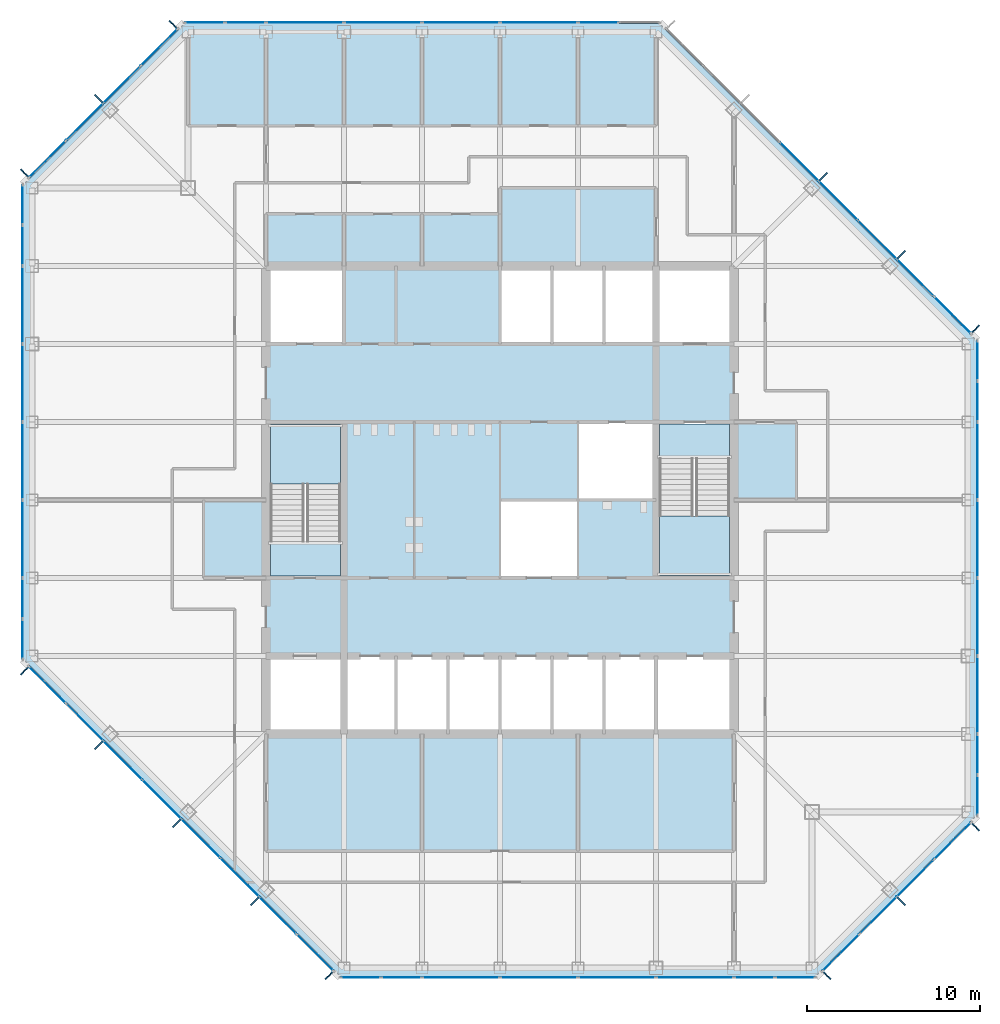
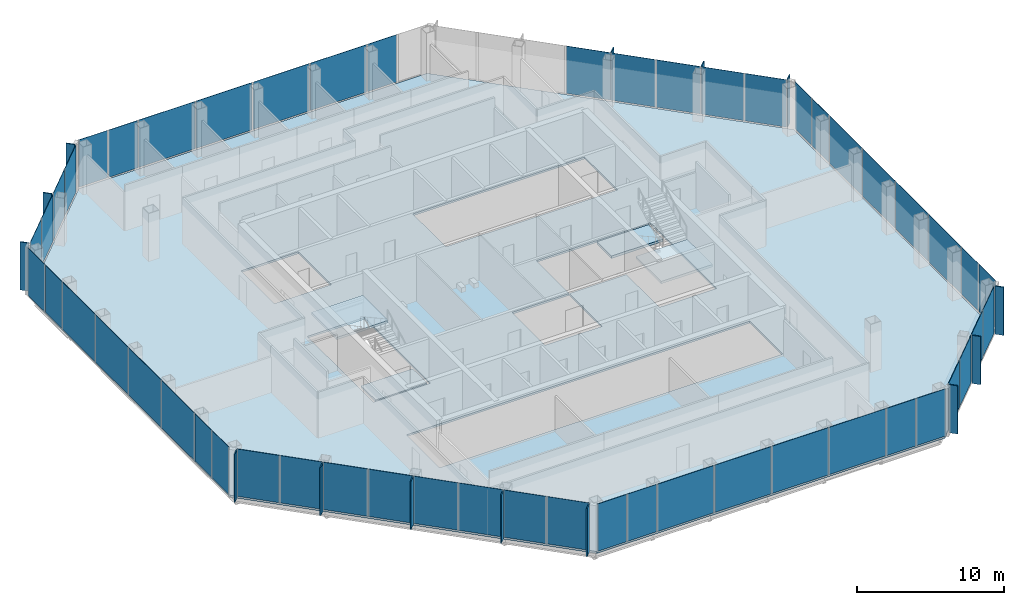
# One storey, part 7 of 13: 66 plates, 5 slabs, 10 elements without a shape of their own.
"""IFC4 building model written with IfcOpenShell, lengths in metres."""

import ifcopenshell
import ifcopenshell.guid

model = None  # the IFC model being written
_history = None  # IfcOwnerHistory: only IFC2X3 demands one
_inside = {}  # id of a spatial element -> (the spatial element, [elements in it])
_under = {}  # id of a project, library or spatial element -> (it, [spatial elements below it])
_declared = {}  # id of a project -> (the project, [libraries it declares])
_typed = {}  # id of a type object -> (the type object, [elements of that type])
_made_of = {}  # id of a material, layer set ... -> (it, [elements and type objects made of it])


def new_model(schema):
    """Start an empty IFC model of exactly this schema.

    Asked for "IFC4X3", IfcOpenShell would pick the latest addendum, in which some entities
    have other attributes; the version numbers below select the first issue.
    IFC2X3 requires an IfcOwnerHistory on every rooted entity: one is made here for all.
    """
    global model, _history
    if schema == "IFC4X3":
        model = ifcopenshell.file(schema_version=(4, 3, 0, 0))
    else:
        model = ifcopenshell.file(schema=schema)
    _inside.clear()
    _under.clear()
    _declared.clear()
    _typed.clear()
    _made_of.clear()
    _history = None
    if model.schema == "IFC2X3":
        org = make("IfcOrganization", Name="unknown")
        user = make(
            "IfcPersonAndOrganization",
            ThePerson=make("IfcPerson", FamilyName="unknown"),
            TheOrganization=org,
        )
        app = make(
            "IfcApplication",
            ApplicationDeveloper=org,
            Version="unknown",
            ApplicationFullName="unknown",
            ApplicationIdentifier="unknown",
        )
        _history = make(
            "IfcOwnerHistory",
            OwningUser=user,
            OwningApplication=app,
            ChangeAction="ADDED",
            CreationDate=0,
        )
    return model


def make(cls, **values):
    """One entity of the class cls with the attributes given. An attribute that is None is left unset."""
    return model.create_entity(
        cls, **{name: value for name, value in values.items() if value is not None}
    )


def rooted(cls, **values):
    """An entity with a GlobalId (a new one), such as an element, a storey or a relation."""
    return make(cls, GlobalId=ifcopenshell.guid.new(), OwnerHistory=_history, **values)


def si_unit(unit_type, name, prefix=None):
    """IfcSIUnit, for example si_unit("LENGTHUNIT", "METRE", prefix="MILLI")."""
    return make("IfcSIUnit", UnitType=unit_type, Prefix=prefix, Name=name)


def assignment(units):
    """IfcUnitAssignment: the units of a project."""
    return None if units is None else make("IfcUnitAssignment", Units=units)


def point(xyz):
    """IfcCartesianPoint."""
    return None if xyz is None else make("IfcCartesianPoint", Coordinates=xyz)


def direction(xyz):
    """IfcDirection."""
    return None if xyz is None else make("IfcDirection", DirectionRatios=xyz)


def frame(location, z_axis=None, x_axis=None):
    """IfcAxis2Placement3D, a coordinate frame: its origin and axes. An axis left out is left unset."""
    return make(
        "IfcAxis2Placement3D",
        Location=point(location),
        Axis=direction(z_axis),
        RefDirection=direction(x_axis),
    )


def frame_2d(location, x_axis=None):
    """IfcAxis2Placement2D, a coordinate frame in the plane: its origin and x axis."""
    return make(
        "IfcAxis2Placement2D", Location=point(location), RefDirection=direction(x_axis)
    )


def origin():
    """The frame at (0, 0, 0) with its axes left unset."""
    return frame((0.0, 0.0, 0.0))


def origin_2d():
    """The frame at (0, 0) in the plane with its x axis left unset."""
    return frame_2d((0.0, 0.0))


def place(relative_to, where):
    """IfcLocalPlacement: puts the frame where relative to a parent placement (None: the world)."""
    return make(
        "IfcLocalPlacement", PlacementRelTo=relative_to, RelativePlacement=where
    )


def context(
    kind, dimensions, precision=None, world=None, true_north=None, identifier=None
):
    """IfcGeometricRepresentationContext, for example the 3D "Model" context."""
    return make(
        "IfcGeometricRepresentationContext",
        ContextIdentifier=identifier,
        ContextType=kind,
        CoordinateSpaceDimension=dimensions,
        Precision=precision,
        WorldCoordinateSystem=world,
        TrueNorth=true_north,
    )


def subcontext(parent, identifier, kind, view, scale=None):
    """IfcGeometricRepresentationSubContext, for example "Body" below "Model"."""
    return make(
        "IfcGeometricRepresentationSubContext",
        ContextIdentifier=identifier,
        ContextType=kind,
        ParentContext=parent,
        TargetScale=scale,
        TargetView=view,
    )


def project(units=None, contexts=None):
    """IfcProject with its units and contexts."""
    return rooted(
        "IfcProject",
        Name="project",
        RepresentationContexts=contexts,
        UnitsInContext=assignment(units),
    )


def spatial(cls, under=None, at=None, **own):
    """A site, building, storey or space (cls), placed at a placement, below another one or the project."""
    s = rooted(cls, ObjectPlacement=at, **own)
    if under is not None:
        _under.setdefault(under.id(), (under, []))[1].append(s)
    return s


def polyline(points):
    """IfcPolyline through the points."""
    return make("IfcPolyline", Points=[point(p) for p in points])


def profile(cls, at=None, kind="AREA", **sizes):
    """A parametric profile (cls). Its sizes go by their IFC names, for example OverallWidth=200.0."""
    return make(cls, ProfileType=kind, Position=at, **sizes)


def rectangle(**sizes):
    """IfcRectangleProfileDef."""
    return profile("IfcRectangleProfileDef", **sizes)


def outline(outer, holes=None, kind="AREA"):
    """IfcArbitraryClosedProfileDef: a profile drawn as a closed curve; with holes, ...WithVoids."""
    if holes is None:
        return make("IfcArbitraryClosedProfileDef", ProfileType=kind, OuterCurve=outer)
    return make(
        "IfcArbitraryProfileDefWithVoids",
        ProfileType=kind,
        OuterCurve=outer,
        InnerCurves=holes,
    )


def extrude(swept, where, along, depth):
    """IfcExtrudedAreaSolid: the profile swept, set in the frame where, extruded along a direction by depth."""
    return make(
        "IfcExtrudedAreaSolid",
        SweptArea=swept,
        Position=where,
        ExtrudedDirection=direction(along),
        Depth=depth,
    )


def shape(context_of_items, identifier, shape_type, items):
    """IfcShapeRepresentation: the items that make up one representation, for example the "Body"."""
    return make(
        "IfcShapeRepresentation",
        ContextOfItems=context_of_items,
        RepresentationIdentifier=identifier,
        RepresentationType=shape_type,
        Items=items,
    )


def material(Name=None, Category=None):
    """IfcMaterial."""
    return make("IfcMaterial", Name=Name, Category=Category)


def layer(
    of_material, thickness, ventilated=None, Name=None, Category=None, Priority=None
):
    """IfcMaterialLayer: one layer of a wall or slab, of a material (None: an air gap)."""
    return make(
        "IfcMaterialLayer",
        Material=of_material,
        LayerThickness=thickness,
        IsVentilated=ventilated,
        Name=Name,
        Category=Category,
        Priority=Priority,
    )


def layer_set(layers, Name=None):
    """IfcMaterialLayerSet."""
    return make("IfcMaterialLayerSet", MaterialLayers=layers, LayerSetName=Name)


def made_of(thing, what):
    """Note that an element or type object is made of a material, layer set ...; save() writes the relation."""
    if what is not None:
        _made_of.setdefault(what.id(), (what, []))[1].append(thing)
    return thing


def type_object(cls, material=None, **own):
    """A type object (cls), such as IfcWallType, which elements share."""
    return made_of(rooted(cls, **own), material)


def element(
    cls,
    number,
    at=None,
    inside=None,
    cuts=None,
    type_object=None,
    material=None,
    context=None,
    identifier="Body",
    shape_type=None,
    held_by="IfcProductDefinitionShape",
    body=None,
    shapes=None,
    **own,
):
    """One element of the class cls, such as IfcWall. Its Tag is "e" and its number.

    at: its placement. inside: the storey or other place that contains it. cuts: it is an
    opening in that element (IfcRelVoidsElement). A single representation is given by context,
    identifier, shape_type and body (its items); several are given by shapes. held_by: the class
    of the entity that holds the representations. save() writes the other relations.
    """
    e = rooted(cls, Tag="e%d" % number, ObjectPlacement=at, **own)
    if body is not None:
        shapes = [shape(context, identifier, shape_type, body)]
    if shapes is not None:
        e.Representation = make(held_by, Representations=shapes)
    if inside is not None:
        _inside.setdefault(inside.id(), (inside, []))[1].append(e)
    if cuts is not None:
        rooted(
            "IfcRelVoidsElement", RelatingBuildingElement=cuts, RelatedOpeningElement=e
        )
    if type_object is not None:
        _typed.setdefault(type_object.id(), (type_object, []))[1].append(e)
    return made_of(e, material)


def aggregate(whole, parts):
    """IfcRelAggregates: a whole, such as a stair, and the parts it consists of."""
    return rooted("IfcRelAggregates", RelatingObject=whole, RelatedObjects=parts)


def save(model, path):
    """Write the relations noted so far, then the file.

    IfcRelAggregates (storeys below a building ...), IfcRelContainedInSpatialStructure (elements
    in a storey), IfcRelDefinesByType, IfcRelAssociatesMaterial and IfcRelDeclares: one each for
    every whole, place, type object, material and project.
    """
    for whole, parts in _under.values():
        aggregate(whole, parts)
    for where, things in _inside.values():
        rooted(
            "IfcRelContainedInSpatialStructure",
            RelatedElements=things,
            RelatingStructure=where,
        )
    for kind, things in _typed.values():
        rooted("IfcRelDefinesByType", RelatedObjects=things, RelatingType=kind)
    for what, things in _made_of.values():
        rooted("IfcRelAssociatesMaterial", RelatedObjects=things, RelatingMaterial=what)
    for by, libraries in _declared.values():
        rooted("IfcRelDeclares", RelatingContext=by, RelatedDefinitions=libraries)
    model.write(path)


model = new_model("IFC4")

# Units and contexts
model_context = context("Model", 3, precision=1e-05, world=origin(), true_north=direction((0.0, 1.0)))
body_context = subcontext(model_context, "Body", "Model", "MODEL_VIEW")
ifc_project = project(units=[si_unit("LENGTHUNIT", "METRE"), si_unit("AREAUNIT", "SQUARE_METRE"), si_unit("VOLUMEUNIT", "CUBIC_METRE"), si_unit("PLANEANGLEUNIT", "RADIAN"), si_unit("MASSUNIT", "GRAM", prefix="KILO")], contexts=[model_context])

# Site, building, storey
site_placement = place(None, origin())
site = spatial("IfcSite", under=ifc_project, at=site_placement, CompositionType="ELEMENT")
building_placement = place(site_placement, origin())
building = spatial("IfcBuilding", under=site, at=building_placement, Name="Corais Broadcast Tower", CompositionType="ELEMENT")
storey_placement = place(building_placement, frame((0.0, 0.0, 167.60009765625)))
storey = spatial("IfcBuildingStorey", under=building, at=storey_placement, Name="L38", CompositionType="ELEMENT", Elevation=167.60009765625)

# Slab
ifc_material_1 = material(Name="Concrete C30/37", Category="concrete")
ifc_layer_1 = layer(ifc_material_1, 0.159912109375)
ifc_layer_set_1 = layer_set([ifc_layer_1], Name="Concrete C30/37")
slab_type_1 = type_object("IfcSlabType", Name="Composite floor slab 160", PredefinedType="FLOOR", material=ifc_layer_set_1)
slab_1_placement = place(storey_placement, frame((0.0, 0.0, -0.16015625)))
element("IfcSlab", 1, at=slab_1_placement, inside=storey, type_object=slab_type_1, Name="S160 floor slab L38", PredefinedType="FLOOR", context=body_context, shape_type="SweptSolid", body=[
    extrude(outline(polyline([(17.80126953125, -0.47998046875), (-0.47998046875, 17.80126953125), (-0.47998046875, 45.19873046875), (8.80126953125, 54.47998046875), (36.19873046875, 54.47998046875), (54.47998046875, 36.19873046875), (54.47998046875, 8.80126953125), (45.19873046875, -0.47998046875), (17.80126953125, -0.47998046875)]), holes=[polyline([(13.5, 18.0), (40.5, 18.0), (40.5, 13.5), (13.5, 13.5), (13.5, 18.0)]), polyline([(18.0, 22.5), (13.5, 22.5), (13.5, 31.5), (18.0, 31.5), (18.0, 22.5)]), polyline([(18.0, 36.0), (13.5, 36.0), (13.5, 40.5), (18.0, 40.5), (18.0, 36.0)]), polyline([(31.5, 22.5), (27.0, 22.5), (27.0, 27.0), (31.4951171875, 27.0), (31.4951171875, 27.0048828125), (31.5, 27.0048828125), (31.5, 31.5), (40.5, 31.5), (40.5, 22.5), (36.0, 22.5), (36.0, 27.0), (31.5048828125, 27.0), (31.5048828125, 26.9951171875), (31.5, 26.9951171875), (31.5, 22.5)]), polyline([(27.0, 40.5), (40.5, 40.5), (40.5, 36.0), (27.0, 36.0), (27.0, 40.5)])]), origin(), (0.0, 0.0, 1.0), 0.16015625),
])

# Curtain wall, plates
ifc_material_2 = material(Name="Aluminium and glass", Category="aluminium")
curtain_wall_type = type_object("IfcCurtainWallType", Name="Unitised fritted curtain wall CW2", PredefinedType="NOTDEFINED", material=ifc_material_2)
curtain_wall_1_placement = place(storey_placement, origin())
curtain_wall_1 = element("IfcCurtainWall", 2, at=curtain_wall_1_placement, inside=storey, type_object=curtain_wall_type, Name="CW2 curtain wall L38 1", PredefinedType="NOTDEFINED")
ifc_material_3 = material(Name="Ceramic-fritted laminated glass", Category="glass")
ifc_layer_2 = layer(ifc_material_3, 0.028076171875)
ifc_layer_set_2 = layer_set([ifc_layer_2], Name="Ceramic-fritted laminated glass")
plate_type_1 = type_object("IfcPlateType", Name="Fritted glass panel CW2", PredefinedType="CURTAIN_PANEL", material=ifc_layer_set_2)
plate_1_placement = place(storey_placement, frame((16.330322265625, 0.891845703125, 0.06494140625), z_axis=(0.0, 0.0, 1.0), x_axis=(-0.707106781187, 0.707106781187, 0.0)))
plate_1 = element("IfcPlate", 3, at=plate_1_placement, type_object=plate_type_1, Name="CW2 panel 1", PredefinedType="CURTAIN_PANEL", context=body_context, shape_type="SweptSolid", body=[
    extrude(rectangle(XDim=2.9482421875, YDim=0.028076171875, at=origin_2d()), origin(), (0.0, 0.0, 1.0), 3.93505859375),
])
plate_2_placement = place(storey_placement, frame((11.986083984375, 5.236083984375, 0.06494140625), z_axis=(0.0, 0.0, 1.0), x_axis=(-0.707106781187, 0.707106781187, 0.0)))
plate_2 = element("IfcPlate", 4, at=plate_2_placement, type_object=plate_type_1, Name="CW2 panel 3", PredefinedType="CURTAIN_PANEL", context=body_context, shape_type="SweptSolid", body=[
    extrude(rectangle(XDim=3.116943359375, YDim=0.028076171875, at=origin_2d()), origin(), (0.0, 0.0, 1.0), 3.93505859375),
])
plate_3_placement = place(storey_placement, frame((7.486083984375, 9.736083984375, 0.06494140625), z_axis=(0.0, 0.0, 1.0), x_axis=(-0.707106781187, 0.707106781187, 0.0)))
plate_3 = element("IfcPlate", 5, at=plate_3_placement, type_object=plate_type_1, Name="CW2 panel 5", PredefinedType="CURTAIN_PANEL", context=body_context, shape_type="SweptSolid", body=[
    extrude(rectangle(XDim=3.116943359375, YDim=0.028076171875, at=origin_2d()), origin(), (0.0, 0.0, 1.0), 3.93505859375),
])
plate_4_placement = place(storey_placement, frame((3.0341796875, 14.18798828125, 0.06494140625), z_axis=(0.0, 0.0, 1.0), x_axis=(-0.707106781187, 0.707106781187, 0.0)))
plate_4 = element("IfcPlate", 6, at=plate_4_placement, type_object=plate_type_1, Name="CW2 panel 7", PredefinedType="CURTAIN_PANEL", context=body_context, shape_type="SweptSolid", body=[
    extrude(rectangle(XDim=2.98095703125, YDim=0.028076171875, at=origin_2d()), origin(), (0.0, 0.0, 1.0), 3.93505859375),
])

curtain_wall_2_placement = place(storey_placement, origin())
curtain_wall_2 = element("IfcCurtainWall", 7, at=curtain_wall_2_placement, inside=storey, type_object=curtain_wall_type, Name="CW2 curtain wall L38 2", PredefinedType="NOTDEFINED")
plate_5_placement = place(storey_placement, frame((-0.550048828125, 18.970458984375, 0.06494140625), z_axis=(0.0, 0.0, 1.0), x_axis=(0.0, 1.0, 0.0)))
plate_5 = element("IfcPlate", 8, at=plate_5_placement, type_object=plate_type_1, Name="CW2 panel 1", PredefinedType="CURTAIN_PANEL", context=body_context, shape_type="SweptSolid", body=[
    extrude(rectangle(XDim=2.266357421875, YDim=0.028076171875, at=origin_2d()), origin(), (0.0, 0.0, 1.0), 3.93505859375),
])
plate_6_placement = place(storey_placement, frame((-0.550048828125, 24.75, 0.06494140625), z_axis=(0.0, 0.0, 1.0), x_axis=(0.0, 1.0, 0.0)))
plate_6 = element("IfcPlate", 9, at=plate_6_placement, type_object=plate_type_1, Name="CW2 panel 3", PredefinedType="CURTAIN_PANEL", context=body_context, shape_type="SweptSolid", body=[
    extrude(rectangle(XDim=4.43505859375, YDim=0.028076171875, at=origin_2d()), origin(), (0.0, 0.0, 1.0), 3.93505859375),
])
plate_7_placement = place(storey_placement, frame((-0.550048828125, 33.75, 0.06494140625), z_axis=(0.0, 0.0, 1.0), x_axis=(0.0, 1.0, 0.0)))
plate_7 = element("IfcPlate", 10, at=plate_7_placement, type_object=plate_type_1, Name="CW2 panel 5", PredefinedType="CURTAIN_PANEL", context=body_context, shape_type="SweptSolid", body=[
    extrude(rectangle(XDim=4.43505859375, YDim=0.028076171875, at=origin_2d()), origin(), (0.0, 0.0, 1.0), 3.93505859375),
])
plate_8_placement = place(storey_placement, frame((-0.550048828125, 41.681884765625, 0.06494140625), z_axis=(0.0, 0.0, 1.0), x_axis=(0.0, 1.0, 0.0)))
plate_8 = element("IfcPlate", 11, at=plate_8_placement, type_object=plate_type_1, Name="CW2 panel 7", PredefinedType="CURTAIN_PANEL", context=body_context, shape_type="SweptSolid", body=[
    extrude(rectangle(XDim=2.298828125, YDim=0.028076171875, at=origin_2d()), origin(), (0.0, 0.0, 1.0), 3.93505859375),
])

curtain_wall_3_placement = place(storey_placement, origin())
curtain_wall_3 = element("IfcCurtainWall", 12, at=curtain_wall_3_placement, inside=storey, type_object=curtain_wall_type, Name="CW2 curtain wall L38 3", PredefinedType="NOTDEFINED")
plate_9_placement = place(storey_placement, frame((0.891845703125, 46.669677734375, 0.06494140625), z_axis=(0.0, 0.0, 1.0), x_axis=(0.707106781187, 0.707106781187, 0.0)))
plate_9 = element("IfcPlate", 13, at=plate_9_placement, type_object=plate_type_1, Name="CW2 panel 1", PredefinedType="CURTAIN_PANEL", context=body_context, shape_type="SweptSolid", body=[
    extrude(rectangle(XDim=2.9482421875, YDim=0.028076171875, at=origin_2d()), origin(), (0.0, 0.0, 1.0), 3.93505859375),
])
plate_10_placement = place(storey_placement, frame((5.18798828125, 50.9658203125, 0.06494140625), z_axis=(0.0, 0.0, 1.0), x_axis=(0.707106781187, 0.707106781187, 0.0)))
plate_10 = element("IfcPlate", 14, at=plate_10_placement, type_object=plate_type_1, Name="CW2 panel 3", PredefinedType="CURTAIN_PANEL", context=body_context, shape_type="SweptSolid", body=[
    extrude(rectangle(XDim=2.98095703125, YDim=0.028076171875, at=origin_2d()), origin(), (0.0, 0.0, 1.0), 3.93505859375),
])

curtain_wall_4_placement = place(storey_placement, origin())
curtain_wall_4 = element("IfcCurtainWall", 15, at=curtain_wall_4_placement, inside=storey, type_object=curtain_wall_type, Name="CW2 curtain wall L38 4", PredefinedType="NOTDEFINED")
plate_11_placement = place(storey_placement, frame((9.970458984375, 54.550048828125, 0.06494140625), z_axis=(0.0, 0.0, 1.0), x_axis=(1.0, 0.0, 0.0)))
plate_11 = element("IfcPlate", 16, at=plate_11_placement, type_object=plate_type_1, Name="CW2 panel 1", PredefinedType="CURTAIN_PANEL", context=body_context, shape_type="SweptSolid", body=[
    extrude(rectangle(XDim=2.266357421875, YDim=0.028076171875, at=origin_2d()), origin(), (0.0, 0.0, 1.0), 3.93505859375),
])
plate_12_placement = place(storey_placement, frame((15.75, 54.550048828125, 0.06494140625), z_axis=(0.0, 0.0, 1.0), x_axis=(1.0, 0.0, 0.0)))
plate_12 = element("IfcPlate", 17, at=plate_12_placement, type_object=plate_type_1, Name="CW2 panel 3", PredefinedType="CURTAIN_PANEL", context=body_context, shape_type="SweptSolid", body=[
    extrude(rectangle(XDim=4.43505859375, YDim=0.028076171875, at=origin_2d()), origin(), (0.0, 0.0, 1.0), 3.93505859375),
])
plate_13_placement = place(storey_placement, frame((24.75, 54.550048828125, 0.06494140625), z_axis=(0.0, 0.0, 1.0), x_axis=(1.0, 0.0, 0.0)))
plate_13 = element("IfcPlate", 18, at=plate_13_placement, type_object=plate_type_1, Name="CW2 panel 5", PredefinedType="CURTAIN_PANEL", context=body_context, shape_type="SweptSolid", body=[
    extrude(rectangle(XDim=4.43505859375, YDim=0.028076171875, at=origin_2d()), origin(), (0.0, 0.0, 1.0), 3.93505859375),
])
plate_14_placement = place(storey_placement, frame((32.681884765625, 54.550048828125, 0.06494140625), z_axis=(0.0, 0.0, 1.0), x_axis=(1.0, 0.0, 0.0)))
plate_14 = element("IfcPlate", 19, at=plate_14_placement, type_object=plate_type_1, Name="CW2 panel 7", PredefinedType="CURTAIN_PANEL", context=body_context, shape_type="SweptSolid", body=[
    extrude(rectangle(XDim=2.298828125, YDim=0.028076171875, at=origin_2d()), origin(), (0.0, 0.0, 1.0), 3.93505859375),
])

curtain_wall_5_placement = place(storey_placement, origin())
curtain_wall_5 = element("IfcCurtainWall", 20, at=curtain_wall_5_placement, inside=storey, type_object=curtain_wall_type, Name="CW2 curtain wall L38 5", PredefinedType="NOTDEFINED")
plate_15_placement = place(storey_placement, frame((46.513916015625, 44.263916015625, 0.06494140625), z_axis=(0.0, 0.0, 1.0), x_axis=(0.707106781187, -0.707106781187, 0.0)))
plate_15 = element("IfcPlate", 21, at=plate_15_placement, type_object=plate_type_1, Name="CW2 panel 5", PredefinedType="CURTAIN_PANEL", context=body_context, shape_type="SweptSolid", body=[
    extrude(rectangle(XDim=3.116943359375, YDim=0.028076171875, at=origin_2d()), origin(), (0.0, 0.0, 1.0), 3.93505859375),
])
plate_16_placement = place(storey_placement, frame((50.9658203125, 39.81201171875, 0.06494140625), z_axis=(0.0, 0.0, 1.0), x_axis=(0.707106781187, -0.707106781187, 0.0)))
plate_16 = element("IfcPlate", 22, at=plate_16_placement, type_object=plate_type_1, Name="CW2 panel 7", PredefinedType="CURTAIN_PANEL", context=body_context, shape_type="SweptSolid", body=[
    extrude(rectangle(XDim=2.98095703125, YDim=0.028076171875, at=origin_2d()), origin(), (0.0, 0.0, 1.0), 3.93505859375),
])

curtain_wall_6_placement = place(storey_placement, origin())
curtain_wall_6 = element("IfcCurtainWall", 23, at=curtain_wall_6_placement, inside=storey, type_object=curtain_wall_type, Name="CW2 curtain wall L38 6", PredefinedType="NOTDEFINED")
plate_17_placement = place(storey_placement, frame((54.550048828125, 35.029541015625, 0.06494140625), z_axis=(0.0, 0.0, 1.0), x_axis=(0.0, -1.0, 0.0)))
plate_17 = element("IfcPlate", 24, at=plate_17_placement, type_object=plate_type_1, Name="CW2 panel 1", PredefinedType="CURTAIN_PANEL", context=body_context, shape_type="SweptSolid", body=[
    extrude(rectangle(XDim=2.266357421875, YDim=0.028076171875, at=origin_2d()), origin(), (0.0, 0.0, 1.0), 3.93505859375),
])
plate_18_placement = place(storey_placement, frame((54.550048828125, 29.25, 0.06494140625), z_axis=(0.0, 0.0, 1.0), x_axis=(0.0, -1.0, 0.0)))
plate_18 = element("IfcPlate", 25, at=plate_18_placement, type_object=plate_type_1, Name="CW2 panel 3", PredefinedType="CURTAIN_PANEL", context=body_context, shape_type="SweptSolid", body=[
    extrude(rectangle(XDim=4.43505859375, YDim=0.028076171875, at=origin_2d()), origin(), (0.0, 0.0, 1.0), 3.93505859375),
])
plate_19_placement = place(storey_placement, frame((54.550048828125, 20.25, 0.06494140625), z_axis=(0.0, 0.0, 1.0), x_axis=(0.0, -1.0, 0.0)))
plate_19 = element("IfcPlate", 26, at=plate_19_placement, type_object=plate_type_1, Name="CW2 panel 5", PredefinedType="CURTAIN_PANEL", context=body_context, shape_type="SweptSolid", body=[
    extrude(rectangle(XDim=4.43505859375, YDim=0.028076171875, at=origin_2d()), origin(), (0.0, 0.0, 1.0), 3.93505859375),
])
plate_20_placement = place(storey_placement, frame((54.550048828125, 12.318115234375, 0.06494140625), z_axis=(0.0, 0.0, 1.0), x_axis=(0.0, -1.0, 0.0)))
plate_20 = element("IfcPlate", 27, at=plate_20_placement, type_object=plate_type_1, Name="CW2 panel 7", PredefinedType="CURTAIN_PANEL", context=body_context, shape_type="SweptSolid", body=[
    extrude(rectangle(XDim=2.298828125, YDim=0.028076171875, at=origin_2d()), origin(), (0.0, 0.0, 1.0), 3.93505859375),
])

curtain_wall_7_placement = place(storey_placement, origin())
curtain_wall_7 = element("IfcCurtainWall", 28, at=curtain_wall_7_placement, inside=storey, type_object=curtain_wall_type, Name="CW2 curtain wall L38 7", PredefinedType="NOTDEFINED")
plate_21_placement = place(storey_placement, frame((53.108154296875, 7.330322265625, 0.06494140625), z_axis=(0.0, 0.0, 1.0), x_axis=(-0.707106781187, -0.707106781187, 0.0)))
plate_21 = element("IfcPlate", 29, at=plate_21_placement, type_object=plate_type_1, Name="CW2 panel 1", PredefinedType="CURTAIN_PANEL", context=body_context, shape_type="SweptSolid", body=[
    extrude(rectangle(XDim=2.9482421875, YDim=0.028076171875, at=origin_2d()), origin(), (0.0, 0.0, 1.0), 3.93505859375),
])
plate_22_placement = place(storey_placement, frame((48.81201171875, 3.0341796875, 0.06494140625), z_axis=(0.0, 0.0, 1.0), x_axis=(-0.707106781187, -0.707106781187, 0.0)))
plate_22 = element("IfcPlate", 30, at=plate_22_placement, type_object=plate_type_1, Name="CW2 panel 3", PredefinedType="CURTAIN_PANEL", context=body_context, shape_type="SweptSolid", body=[
    extrude(rectangle(XDim=2.98095703125, YDim=0.028076171875, at=origin_2d()), origin(), (0.0, 0.0, 1.0), 3.93505859375),
])

curtain_wall_8_placement = place(storey_placement, origin())
curtain_wall_8 = element("IfcCurtainWall", 31, at=curtain_wall_8_placement, inside=storey, type_object=curtain_wall_type, Name="CW2 curtain wall L38 8", PredefinedType="NOTDEFINED")
plate_23_placement = place(storey_placement, frame((44.029541015625, -0.550048828125, 0.06494140625), z_axis=(0.0, 0.0, 1.0), x_axis=(-1.0, 0.0, 0.0)))
plate_23 = element("IfcPlate", 32, at=plate_23_placement, type_object=plate_type_1, Name="CW2 panel 1", PredefinedType="CURTAIN_PANEL", context=body_context, shape_type="SweptSolid", body=[
    extrude(rectangle(XDim=2.266357421875, YDim=0.028076171875, at=origin_2d()), origin(), (0.0, 0.0, 1.0), 3.93505859375),
])
plate_24_placement = place(storey_placement, frame((38.25, -0.550048828125, 0.06494140625), z_axis=(0.0, 0.0, 1.0), x_axis=(-1.0, 0.0, 0.0)))
plate_24 = element("IfcPlate", 33, at=plate_24_placement, type_object=plate_type_1, Name="CW2 panel 3", PredefinedType="CURTAIN_PANEL", context=body_context, shape_type="SweptSolid", body=[
    extrude(rectangle(XDim=4.43505859375, YDim=0.028076171875, at=origin_2d()), origin(), (0.0, 0.0, 1.0), 3.93505859375),
])
plate_25_placement = place(storey_placement, frame((29.25, -0.550048828125, 0.06494140625), z_axis=(0.0, 0.0, 1.0), x_axis=(-1.0, 0.0, 0.0)))
plate_25 = element("IfcPlate", 34, at=plate_25_placement, type_object=plate_type_1, Name="CW2 panel 5", PredefinedType="CURTAIN_PANEL", context=body_context, shape_type="SweptSolid", body=[
    extrude(rectangle(XDim=4.43505859375, YDim=0.028076171875, at=origin_2d()), origin(), (0.0, 0.0, 1.0), 3.93505859375),
])
plate_26_placement = place(storey_placement, frame((21.318115234375, -0.550048828125, 0.06494140625), z_axis=(0.0, 0.0, 1.0), x_axis=(-1.0, 0.0, 0.0)))
plate_26 = element("IfcPlate", 35, at=plate_26_placement, type_object=plate_type_1, Name="CW2 panel 7", PredefinedType="CURTAIN_PANEL", context=body_context, shape_type="SweptSolid", body=[
    extrude(rectangle(XDim=2.298828125, YDim=0.028076171875, at=origin_2d()), origin(), (0.0, 0.0, 1.0), 3.93505859375),
])

# Plate
ifc_material_4 = material(Name="Clear laminated glass", Category="glass")
ifc_layer_3 = layer(ifc_material_4, 0.031982421875)
ifc_layer_set_3 = layer_set([ifc_layer_3], Name="Clear laminated glass")
plate_type_2 = type_object("IfcPlateType", Name="Operable glass panel CW2", PredefinedType="CURTAIN_PANEL", material=ifc_layer_set_3)
plate_27_placement = place(storey_placement, frame((14.18798828125, 3.0341796875, 0.06494140625), z_axis=(0.0, 0.0, 1.0), x_axis=(-0.707106781187, 0.707106781187, 0.0)))
plate_27 = element("IfcPlate", 36, at=plate_27_placement, type_object=plate_type_2, Name="CW2 operable panel 2", PredefinedType="CURTAIN_PANEL", context=body_context, shape_type="SweptSolid", body=[
    extrude(rectangle(XDim=2.98095703125, YDim=0.031982421875, at=origin_2d()), origin(), (0.0, 0.0, 1.0), 3.93505859375),
])

plate_28_placement = place(storey_placement, frame((9.736083984375, 7.486083984375, 0.06494140625), z_axis=(0.0, 0.0, 1.0), x_axis=(-0.707106781187, 0.707106781187, 0.0)))
plate_28 = element("IfcPlate", 37, at=plate_28_placement, type_object=plate_type_2, Name="CW2 operable panel 4", PredefinedType="CURTAIN_PANEL", context=body_context, shape_type="SweptSolid", body=[
    extrude(rectangle(XDim=3.116943359375, YDim=0.031982421875, at=origin_2d()), origin(), (0.0, 0.0, 1.0), 3.93505859375),
])

plate_29_placement = place(storey_placement, frame((5.236083984375, 11.986083984375, 0.06494140625), z_axis=(0.0, 0.0, 1.0), x_axis=(-0.707106781187, 0.707106781187, 0.0)))
plate_29 = element("IfcPlate", 38, at=plate_29_placement, type_object=plate_type_2, Name="CW2 operable panel 6", PredefinedType="CURTAIN_PANEL", context=body_context, shape_type="SweptSolid", body=[
    extrude(rectangle(XDim=3.116943359375, YDim=0.031982421875, at=origin_2d()), origin(), (0.0, 0.0, 1.0), 3.93505859375),
])

plate_30_placement = place(storey_placement, frame((0.89208984375, 16.330322265625, 0.06494140625), z_axis=(0.0, 0.0, 1.0), x_axis=(-0.707106781187, 0.707106781187, 0.0)))
plate_30 = element("IfcPlate", 39, at=plate_30_placement, type_object=plate_type_2, Name="CW2 operable panel 8", PredefinedType="CURTAIN_PANEL", context=body_context, shape_type="SweptSolid", body=[
    extrude(rectangle(XDim=2.948486328125, YDim=0.031982421875, at=origin_2d()), origin(), (0.0, 0.0, 1.0), 3.93505859375),
])

aggregate(curtain_wall_1, [plate_1, plate_27, plate_2, plate_28, plate_3, plate_29, plate_4, plate_30])

plate_31_placement = place(storey_placement, frame((-0.550048828125, 21.318115234375, 0.06494140625), z_axis=(0.0, 0.0, 1.0), x_axis=(0.0, 1.0, 0.0)))
plate_31 = element("IfcPlate", 40, at=plate_31_placement, type_object=plate_type_2, Name="CW2 operable panel 2", PredefinedType="CURTAIN_PANEL", context=body_context, shape_type="SweptSolid", body=[
    extrude(rectangle(XDim=2.298828125, YDim=0.031982421875, at=origin_2d()), origin(), (0.0, 0.0, 1.0), 3.93505859375),
])

plate_32_placement = place(storey_placement, frame((-0.550048828125, 29.25, 0.06494140625), z_axis=(0.0, 0.0, 1.0), x_axis=(0.0, 1.0, 0.0)))
plate_32 = element("IfcPlate", 41, at=plate_32_placement, type_object=plate_type_2, Name="CW2 operable panel 4", PredefinedType="CURTAIN_PANEL", context=body_context, shape_type="SweptSolid", body=[
    extrude(rectangle(XDim=4.43505859375, YDim=0.031982421875, at=origin_2d()), origin(), (0.0, 0.0, 1.0), 3.93505859375),
])

plate_33_placement = place(storey_placement, frame((-0.550048828125, 38.25, 0.06494140625), z_axis=(0.0, 0.0, 1.0), x_axis=(0.0, 1.0, 0.0)))
plate_33 = element("IfcPlate", 42, at=plate_33_placement, type_object=plate_type_2, Name="CW2 operable panel 6", PredefinedType="CURTAIN_PANEL", context=body_context, shape_type="SweptSolid", body=[
    extrude(rectangle(XDim=4.43505859375, YDim=0.031982421875, at=origin_2d()), origin(), (0.0, 0.0, 1.0), 3.93505859375),
])

plate_34_placement = place(storey_placement, frame((-0.550048828125, 44.029541015625, 0.06494140625), z_axis=(0.0, 0.0, 1.0), x_axis=(0.0, 1.0, 0.0)))
plate_34 = element("IfcPlate", 43, at=plate_34_placement, type_object=plate_type_2, Name="CW2 operable panel 8", PredefinedType="CURTAIN_PANEL", context=body_context, shape_type="SweptSolid", body=[
    extrude(rectangle(XDim=2.266357421875, YDim=0.031982421875, at=origin_2d()), origin(), (0.0, 0.0, 1.0), 3.93505859375),
])

aggregate(curtain_wall_2, [plate_5, plate_31, plate_6, plate_32, plate_7, plate_33, plate_8, plate_34])

plate_35_placement = place(storey_placement, frame((3.0341796875, 48.81201171875, 0.06494140625), z_axis=(0.0, 0.0, 1.0), x_axis=(0.707106781187, 0.707106781187, 0.0)))
plate_35 = element("IfcPlate", 44, at=plate_35_placement, type_object=plate_type_2, Name="CW2 operable panel 2", PredefinedType="CURTAIN_PANEL", context=body_context, shape_type="SweptSolid", body=[
    extrude(rectangle(XDim=2.98095703125, YDim=0.031982421875, at=origin_2d()), origin(), (0.0, 0.0, 1.0), 3.93505859375),
])

plate_36_placement = place(storey_placement, frame((7.330322265625, 53.10791015625, 0.06494140625), z_axis=(0.0, 0.0, 1.0), x_axis=(0.707106781187, 0.707106781187, 0.0)))
plate_36 = element("IfcPlate", 45, at=plate_36_placement, type_object=plate_type_2, Name="CW2 operable panel 4", PredefinedType="CURTAIN_PANEL", context=body_context, shape_type="SweptSolid", body=[
    extrude(rectangle(XDim=2.948486328125, YDim=0.031982421875, at=origin_2d()), origin(), (0.0, 0.0, 1.0), 3.93505859375),
])

aggregate(curtain_wall_3, [plate_9, plate_35, plate_10, plate_36])

plate_37_placement = place(storey_placement, frame((12.318115234375, 54.550048828125, 0.06494140625), z_axis=(0.0, 0.0, 1.0), x_axis=(1.0, 0.0, 0.0)))
plate_37 = element("IfcPlate", 46, at=plate_37_placement, type_object=plate_type_2, Name="CW2 operable panel 2", PredefinedType="CURTAIN_PANEL", context=body_context, shape_type="SweptSolid", body=[
    extrude(rectangle(XDim=2.298828125, YDim=0.031982421875, at=origin_2d()), origin(), (0.0, 0.0, 1.0), 3.93505859375),
])

plate_38_placement = place(storey_placement, frame((20.25, 54.550048828125, 0.06494140625), z_axis=(0.0, 0.0, 1.0), x_axis=(1.0, 0.0, 0.0)))
plate_38 = element("IfcPlate", 47, at=plate_38_placement, type_object=plate_type_2, Name="CW2 operable panel 4", PredefinedType="CURTAIN_PANEL", context=body_context, shape_type="SweptSolid", body=[
    extrude(rectangle(XDim=4.43505859375, YDim=0.031982421875, at=origin_2d()), origin(), (0.0, 0.0, 1.0), 3.93505859375),
])

plate_39_placement = place(storey_placement, frame((29.25, 54.550048828125, 0.06494140625), z_axis=(0.0, 0.0, 1.0), x_axis=(1.0, 0.0, 0.0)))
plate_39 = element("IfcPlate", 48, at=plate_39_placement, type_object=plate_type_2, Name="CW2 operable panel 6", PredefinedType="CURTAIN_PANEL", context=body_context, shape_type="SweptSolid", body=[
    extrude(rectangle(XDim=4.43505859375, YDim=0.031982421875, at=origin_2d()), origin(), (0.0, 0.0, 1.0), 3.93505859375),
])

aggregate(curtain_wall_4, [plate_11, plate_37, plate_12, plate_38, plate_13, plate_39, plate_14])

plate_40_placement = place(storey_placement, frame((44.263916015625, 46.513916015625, 0.06494140625), z_axis=(0.0, 0.0, 1.0), x_axis=(0.707106781187, -0.707106781187, 0.0)))
plate_40 = element("IfcPlate", 49, at=plate_40_placement, type_object=plate_type_2, Name="CW2 operable panel 4", PredefinedType="CURTAIN_PANEL", context=body_context, shape_type="SweptSolid", body=[
    extrude(rectangle(XDim=3.116943359375, YDim=0.031982421875, at=origin_2d()), origin(), (0.0, 0.0, 1.0), 3.93505859375),
])

plate_41_placement = place(storey_placement, frame((48.763916015625, 42.013916015625, 0.06494140625), z_axis=(0.0, 0.0, 1.0), x_axis=(0.707106781187, -0.707106781187, 0.0)))
plate_41 = element("IfcPlate", 50, at=plate_41_placement, type_object=plate_type_2, Name="CW2 operable panel 6", PredefinedType="CURTAIN_PANEL", context=body_context, shape_type="SweptSolid", body=[
    extrude(rectangle(XDim=3.116943359375, YDim=0.031982421875, at=origin_2d()), origin(), (0.0, 0.0, 1.0), 3.93505859375),
])

plate_42_placement = place(storey_placement, frame((53.10791015625, 37.669677734375, 0.06494140625), z_axis=(0.0, 0.0, 1.0), x_axis=(0.707106781187, -0.707106781187, 0.0)))
plate_42 = element("IfcPlate", 51, at=plate_42_placement, type_object=plate_type_2, Name="CW2 operable panel 8", PredefinedType="CURTAIN_PANEL", context=body_context, shape_type="SweptSolid", body=[
    extrude(rectangle(XDim=2.948486328125, YDim=0.031982421875, at=origin_2d()), origin(), (0.0, 0.0, 1.0), 3.93505859375),
])

aggregate(curtain_wall_5, [plate_40, plate_15, plate_41, plate_16, plate_42])

plate_43_placement = place(storey_placement, frame((54.550048828125, 32.681884765625, 0.06494140625), z_axis=(0.0, 0.0, 1.0), x_axis=(0.0, -1.0, 0.0)))
plate_43 = element("IfcPlate", 52, at=plate_43_placement, type_object=plate_type_2, Name="CW2 operable panel 2", PredefinedType="CURTAIN_PANEL", context=body_context, shape_type="SweptSolid", body=[
    extrude(rectangle(XDim=2.298828125, YDim=0.031982421875, at=origin_2d()), origin(), (0.0, 0.0, 1.0), 3.93505859375),
])

plate_44_placement = place(storey_placement, frame((54.550048828125, 24.75, 0.06494140625), z_axis=(0.0, 0.0, 1.0), x_axis=(0.0, -1.0, 0.0)))
plate_44 = element("IfcPlate", 53, at=plate_44_placement, type_object=plate_type_2, Name="CW2 operable panel 4", PredefinedType="CURTAIN_PANEL", context=body_context, shape_type="SweptSolid", body=[
    extrude(rectangle(XDim=4.43505859375, YDim=0.031982421875, at=origin_2d()), origin(), (0.0, 0.0, 1.0), 3.93505859375),
])

plate_45_placement = place(storey_placement, frame((54.550048828125, 15.75, 0.06494140625), z_axis=(0.0, 0.0, 1.0), x_axis=(0.0, -1.0, 0.0)))
plate_45 = element("IfcPlate", 54, at=plate_45_placement, type_object=plate_type_2, Name="CW2 operable panel 6", PredefinedType="CURTAIN_PANEL", context=body_context, shape_type="SweptSolid", body=[
    extrude(rectangle(XDim=4.43505859375, YDim=0.031982421875, at=origin_2d()), origin(), (0.0, 0.0, 1.0), 3.93505859375),
])

plate_46_placement = place(storey_placement, frame((54.550048828125, 9.970458984375, 0.06494140625), z_axis=(0.0, 0.0, 1.0), x_axis=(0.0, -1.0, 0.0)))
plate_46 = element("IfcPlate", 55, at=plate_46_placement, type_object=plate_type_2, Name="CW2 operable panel 8", PredefinedType="CURTAIN_PANEL", context=body_context, shape_type="SweptSolid", body=[
    extrude(rectangle(XDim=2.266357421875, YDim=0.031982421875, at=origin_2d()), origin(), (0.0, 0.0, 1.0), 3.93505859375),
])

aggregate(curtain_wall_6, [plate_17, plate_43, plate_18, plate_44, plate_19, plate_45, plate_20, plate_46])

plate_47_placement = place(storey_placement, frame((50.9658203125, 5.18798828125, 0.06494140625), z_axis=(0.0, 0.0, 1.0), x_axis=(-0.707106781187, -0.707106781187, 0.0)))
plate_47 = element("IfcPlate", 56, at=plate_47_placement, type_object=plate_type_2, Name="CW2 operable panel 2", PredefinedType="CURTAIN_PANEL", context=body_context, shape_type="SweptSolid", body=[
    extrude(rectangle(XDim=2.98095703125, YDim=0.031982421875, at=origin_2d()), origin(), (0.0, 0.0, 1.0), 3.93505859375),
])

plate_48_placement = place(storey_placement, frame((46.669677734375, 0.89208984375, 0.06494140625), z_axis=(0.0, 0.0, 1.0), x_axis=(-0.707106781187, -0.707106781187, 0.0)))
plate_48 = element("IfcPlate", 57, at=plate_48_placement, type_object=plate_type_2, Name="CW2 operable panel 4", PredefinedType="CURTAIN_PANEL", context=body_context, shape_type="SweptSolid", body=[
    extrude(rectangle(XDim=2.948486328125, YDim=0.031982421875, at=origin_2d()), origin(), (0.0, 0.0, 1.0), 3.93505859375),
])

aggregate(curtain_wall_7, [plate_21, plate_47, plate_22, plate_48])

plate_49_placement = place(storey_placement, frame((41.681884765625, -0.550048828125, 0.06494140625), z_axis=(0.0, 0.0, 1.0), x_axis=(-1.0, 0.0, 0.0)))
plate_49 = element("IfcPlate", 58, at=plate_49_placement, type_object=plate_type_2, Name="CW2 operable panel 2", PredefinedType="CURTAIN_PANEL", context=body_context, shape_type="SweptSolid", body=[
    extrude(rectangle(XDim=2.298828125, YDim=0.031982421875, at=origin_2d()), origin(), (0.0, 0.0, 1.0), 3.93505859375),
])

plate_50_placement = place(storey_placement, frame((33.75, -0.550048828125, 0.06494140625), z_axis=(0.0, 0.0, 1.0), x_axis=(-1.0, 0.0, 0.0)))
plate_50 = element("IfcPlate", 59, at=plate_50_placement, type_object=plate_type_2, Name="CW2 operable panel 4", PredefinedType="CURTAIN_PANEL", context=body_context, shape_type="SweptSolid", body=[
    extrude(rectangle(XDim=4.43505859375, YDim=0.031982421875, at=origin_2d()), origin(), (0.0, 0.0, 1.0), 3.93505859375),
])

plate_51_placement = place(storey_placement, frame((24.75, -0.550048828125, 0.06494140625), z_axis=(0.0, 0.0, 1.0), x_axis=(-1.0, 0.0, 0.0)))
plate_51 = element("IfcPlate", 60, at=plate_51_placement, type_object=plate_type_2, Name="CW2 operable panel 6", PredefinedType="CURTAIN_PANEL", context=body_context, shape_type="SweptSolid", body=[
    extrude(rectangle(XDim=4.43505859375, YDim=0.031982421875, at=origin_2d()), origin(), (0.0, 0.0, 1.0), 3.93505859375),
])

plate_52_placement = place(storey_placement, frame((18.970458984375, -0.550048828125, 0.06494140625), z_axis=(0.0, 0.0, 1.0), x_axis=(-1.0, 0.0, 0.0)))
plate_52 = element("IfcPlate", 61, at=plate_52_placement, type_object=plate_type_2, Name="CW2 operable panel 8", PredefinedType="CURTAIN_PANEL", context=body_context, shape_type="SweptSolid", body=[
    extrude(rectangle(XDim=2.266357421875, YDim=0.031982421875, at=origin_2d()), origin(), (0.0, 0.0, 1.0), 3.93505859375),
])

aggregate(curtain_wall_8, [plate_23, plate_49, plate_24, plate_50, plate_25, plate_51, plate_26, plate_52])

# Stair, slabs
ifc_material_5 = material(Name="Concrete C30/37", Category="concrete")
stair_type = type_object("IfcStairType", Name="Half-turn stair 4000", PredefinedType="HALF_TURN_STAIR", material=ifc_material_5)
stair_1_placement = place(storey_placement, origin())
stair_1 = element("IfcStair", 62, at=stair_1_placement, inside=storey, type_object=stair_type, Name="Stair A L38", PredefinedType="HALF_TURN_STAIR")
ifc_material_6 = material(Name="Concrete C30/37", Category="concrete")
ifc_layer_4 = layer(ifc_material_6, 0.199951171875)
ifc_layer_set_4 = layer_set([ifc_layer_4], Name="Concrete C30/37")
slab_type_2 = type_object("IfcSlabType", Name="Stair landing 200", PredefinedType="LANDING", material=ifc_layer_set_4)
slab_2_placement = place(storey_placement, frame((0.0, 0.0, -0.2001953125)))
slab_2 = element("IfcSlab", 63, at=slab_2_placement, type_object=slab_type_2, Name="STA landing 1", PredefinedType="LANDING", context=body_context, shape_type="SweptSolid", body=[
    extrude(outline(polyline([(13.75, 22.625), (17.800048828125, 22.625), (17.800048828125, 24.60009765625), (13.75, 24.60009765625), (13.75, 22.625)])), origin(), (0.0, 0.0, 1.0), 0.2001953125),
])
slab_3_placement = place(storey_placement, frame((0.0, 0.0, 1.7998046875)))
slab_3 = element("IfcSlab", 64, at=slab_3_placement, type_object=slab_type_2, Name="STA landing 2", PredefinedType="LANDING", context=body_context, shape_type="SweptSolid", body=[
    extrude(outline(polyline([(13.75, 27.922119140625), (17.800048828125, 27.922119140625), (17.800048828125, 31.375), (13.75, 31.375), (13.75, 27.922119140625)])), origin(), (0.0, 0.0, 1.0), 0.2001953125),
])
aggregate(stair_1, [slab_2, slab_3])

stair_2_placement = place(storey_placement, origin())
stair_2 = element("IfcStair", 65, at=stair_2_placement, inside=storey, type_object=stair_type, Name="Stair B L38", PredefinedType="HALF_TURN_STAIR")
slab_4_placement = place(storey_placement, frame((0.0, 0.0, -0.2001953125)))
slab_4 = element("IfcSlab", 66, at=slab_4_placement, type_object=slab_type_2, Name="STB landing 1", PredefinedType="LANDING", context=body_context, shape_type="SweptSolid", body=[
    extrude(outline(polyline([(36.199951171875, 29.39990234375), (40.25, 29.39990234375), (40.25, 31.375), (36.199951171875, 31.375), (36.199951171875, 29.39990234375)])), origin(), (0.0, 0.0, 1.0), 0.2001953125),
])
slab_5_placement = place(storey_placement, frame((0.0, 0.0, 1.7998046875)))
slab_5 = element("IfcSlab", 67, at=slab_5_placement, type_object=slab_type_2, Name="STB landing 2", PredefinedType="LANDING", context=body_context, shape_type="SweptSolid", body=[
    extrude(outline(polyline([(36.199951171875, 22.625), (40.25, 22.625), (40.25, 26.077880859375), (36.199951171875, 26.077880859375), (36.199951171875, 22.625)])), origin(), (0.0, 0.0, 1.0), 0.2001953125),
])
aggregate(stair_2, [slab_4, slab_5])

# Plates
ifc_material_7 = material(Name="Granite stone cladding", Category="masonry")
ifc_layer_5 = layer(ifc_material_7, 0.080078125)
ifc_layer_set_5 = layer_set([ifc_layer_5], Name="Granite stone cladding")
plate_type_3 = type_object("IfcPlateType", Name="Stone screen fin 80x600", PredefinedType="USERDEFINED", material=ifc_layer_set_5)
for number, where, z_axis, x_axis, name in (
    (68, (17.1220703125, -0.447021484375, 0.0), (0.0, 0.0, 1.0), (-0.707106781187, 0.707106781187, 0.0), "SF1 stone screen fin L38"),
    (69, (12.83740234375, 3.83740234375, 0.0), (0.0, 0.0, 1.0), (-0.707106781187, 0.707106781187, 0.0), "SF1 stone screen fin L38"),
    (70, (8.33740234375, 8.33740234375, 0.0), (0.0, 0.0, 1.0), (-0.707106781187, 0.707106781187, 0.0), "SF1 stone screen fin L38"),
    (71, (3.83740234375, 12.83740234375, 0.0), (0.0, 0.0, 1.0), (-0.707106781187, 0.707106781187, 0.0), "SF1 stone screen fin L38"),
    (72, (-0.447021484375, 17.1220703125, 0.0), (0.0, 0.0, 1.0), (-0.707106781187, 0.707106781187, 0.0), "SF1 stone screen fin L38"),
    (73, (-0.447021484375, 45.8779296875, 0.0), (0.0, 0.0, 1.0), (0.707106781187, 0.707106781187, 0.0), "SF1 stone screen fin L38"),
    (74, (3.83740234375, 50.16259765625, 0.0), (0.0, 0.0, 1.0), (0.707106781187, 0.707106781187, 0.0), "SF1 stone screen fin L38"),
    (75, (8.1220703125, 54.447021484375, 0.0), (0.0, 0.0, 1.0), (0.707106781187, 0.707106781187, 0.0), "SF1 stone screen fin L38"),
    (76, (45.66259765625, 45.66259765625, 0.0), (0.0, 0.0, 1.0), (0.707106781187, -0.707106781187, 0.0), "SF1 stone screen fin L38"),
    (77, (50.16259765625, 41.16259765625, 0.0), (0.0, 0.0, 1.0), (0.707106781187, -0.707106781187, 0.0), "SF1 stone screen fin L38"),
    (78, (54.447021484375, 36.8779296875, 0.0), (0.0, 0.0, 1.0), (0.707106781187, -0.707106781187, 0.0), "SF1 stone screen fin L38"),
    (79, (54.447021484375, 8.1220703125, 0.0), (0.0, 0.0, 1.0), (-0.707106781187, -0.707106781187, 0.0), "SF1 stone screen fin L38"),
    (80, (50.16259765625, 3.83740234375, 0.0), (0.0, 0.0, 1.0), (-0.707106781187, -0.707106781187, 0.0), "SF1 stone screen fin L38"),
    (81, (45.8779296875, -0.447021484375, 0.0), (0.0, 0.0, 1.0), (-0.707106781187, -0.707106781187, 0.0), "SF1 stone screen fin L38"),
):
    element("IfcPlate", number, at=place(storey_placement, frame(where, z_axis=z_axis, x_axis=x_axis)), inside=storey, type_object=plate_type_3, Name=name, ObjectType="STONE SCREEN FIN", PredefinedType="USERDEFINED", context=body_context, shape_type="SweptSolid", body=[
        extrude(rectangle(XDim=0.080078125, YDim=0.60009765625, at=origin_2d()), origin(), (0.0, 0.0, 1.0), 4.0),
    ])

save(model, "model.ifc")
